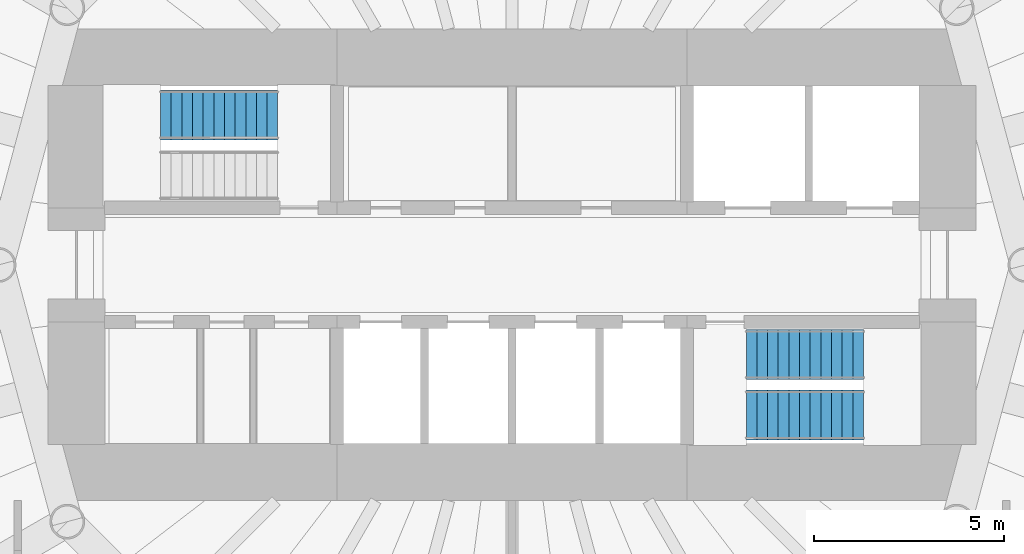
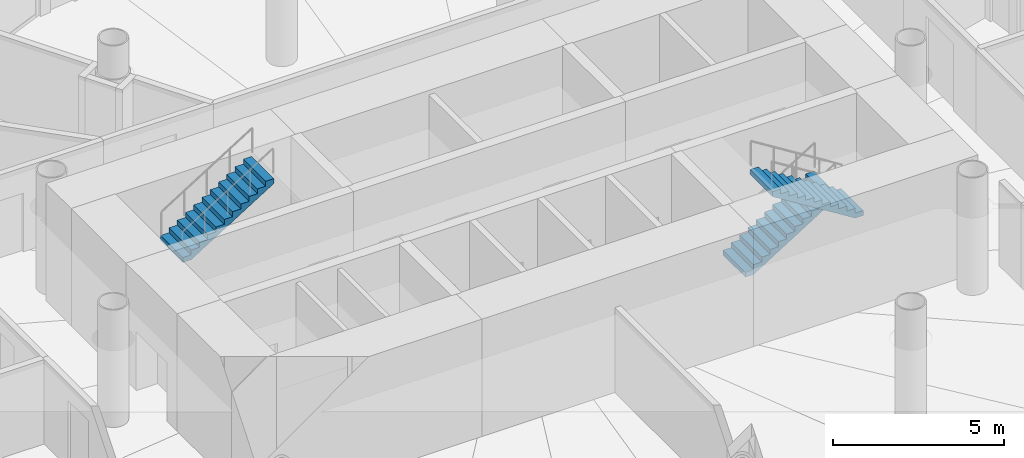
# One storey, part 11 of 15: 3 stair flights, 2 elements without a shape of their own.
"""IFC4 building model written with IfcOpenShell, lengths in metres."""

from ifc_helpers import new_model, si_unit, direction, frame, origin, place, context, subcontext, project, spatial, polyline, outline, extrude, material, type_object, element, aggregate, save


model = new_model("IFC4")

# Units and contexts
model_context = context("Model", 3, precision=1e-05, world=origin(), true_north=direction((0.0, 1.0)))
body_context = subcontext(model_context, "Body", "Model", "MODEL_VIEW")
ifc_project = project(units=[si_unit("LENGTHUNIT", "METRE"), si_unit("AREAUNIT", "SQUARE_METRE"), si_unit("VOLUMEUNIT", "CUBIC_METRE"), si_unit("PLANEANGLEUNIT", "RADIAN"), si_unit("MASSUNIT", "GRAM", prefix="KILO")], contexts=[model_context])

# Site, building, storey
site_placement = place(None, origin())
site = spatial("IfcSite", under=ifc_project, at=site_placement, CompositionType="ELEMENT")
building_placement = place(site_placement, origin())
building = spatial("IfcBuilding", under=site, at=building_placement, Name="Qaws Media Tower", CompositionType="ELEMENT")
storey_placement = place(building_placement, frame((0.0, 0.0, 257.0)))
storey = spatial("IfcBuildingStorey", under=building, at=storey_placement, Name="L59", CompositionType="ELEMENT", Elevation=257.0)

# Stair, stair flight
ifc_material_1 = material(Name="Concrete C40/50", Category="concrete")
stair_type = type_object("IfcStairType", Name="Exit stair", PredefinedType="HALF_TURN_STAIR", material=ifc_material_1)
stair_1_placement = place(storey_placement, origin())
stair_1 = element("IfcStair", 1, at=stair_1_placement, inside=storey, type_object=stair_type, Name="S1 exit stair L59", PredefinedType="HALF_TURN_STAIR")
ifc_material_2 = material(Name="Concrete C40/50", Category="concrete")
stair_flight_type = type_object("IfcStairFlightType", Name="Stair flight 1310", PredefinedType="STRAIGHT", material=ifc_material_2)
stair_flight_1_placement = place(storey_placement, frame((50.760009765625, 53.945068359375, 2.10009765625), z_axis=(0.0, 0.0, 1.0), x_axis=(1.0, 0.0, 0.0)))
stair_flight_1 = element("IfcStairFlight", 2, at=stair_flight_1_placement, type_object=stair_flight_type, Name="S1 flight 2", NumberOfRisers=12, NumberOfTreads=11, PredefinedType="STRAIGHT", RiserHeight=0.175, TreadLength=0.28, context=body_context, shape_type="SweptSolid", body=[
    extrude(outline(polyline([(0.0, 0.0), (0.0, 0.175048828125), (0.280029296875, 0.175048828125), (0.280029296875, 0.35009765625), (0.56005859375, 0.35009765625), (0.56005859375, 0.52490234375), (0.840087890625, 0.52490234375), (0.840087890625, 0.699951171875), (1.1201171875, 0.699951171875), (1.1201171875, 0.875), (1.39990234375, 0.875), (1.39990234375, 1.050048828125), (1.679931640625, 1.050048828125), (1.679931640625, 1.22509765625), (1.9599609375, 1.22509765625), (1.9599609375, 1.39990234375), (2.239990234375, 1.39990234375), (2.239990234375, 1.574951171875), (2.52001953125, 1.574951171875), (2.52001953125, 1.75), (2.800048828125, 1.75), (2.800048828125, 1.925048828125), (3.080078125, 1.925048828125), (3.080078125, 2.10009765625), (3.080078125, 1.748291015625), (0.28271484375, 0.0), (0.0, 0.0)])), frame((0.0, 0.655029296875, 0.0), z_axis=(0.0, -1.0, 0.0), x_axis=(1.0, 0.0, 0.0)), (0.0, 0.0, 1.0), 1.31005859375),
])
aggregate(stair_1, [stair_flight_1])

# Stair, stair flights
stair_2_placement = place(storey_placement, origin())
stair_2 = element("IfcStair", 3, at=stair_2_placement, inside=storey, type_object=stair_type, Name="S2 exit stair L59", PredefinedType="HALF_TURN_STAIR")
stair_flight_2_placement = place(storey_placement, frame((66.159912109375, 47.64501953125, 0.0), z_axis=(0.0, 0.0, 1.0), x_axis=(1.0, 0.0, 0.0)))
stair_flight_2 = element("IfcStairFlight", 4, at=stair_flight_2_placement, type_object=stair_flight_type, Name="S2 flight 1", NumberOfRisers=12, NumberOfTreads=11, PredefinedType="STRAIGHT", RiserHeight=0.175, TreadLength=0.28, context=body_context, shape_type="SweptSolid", body=[
    extrude(outline(polyline([(0.0, 0.0), (0.0, 0.175048828125), (0.280029296875, 0.175048828125), (0.280029296875, 0.35009765625), (0.56005859375, 0.35009765625), (0.56005859375, 0.52490234375), (0.840087890625, 0.52490234375), (0.840087890625, 0.699951171875), (1.1201171875, 0.699951171875), (1.1201171875, 0.875), (1.39990234375, 0.875), (1.39990234375, 1.050048828125), (1.679931640625, 1.050048828125), (1.679931640625, 1.22509765625), (1.9599609375, 1.22509765625), (1.9599609375, 1.39990234375), (2.239990234375, 1.39990234375), (2.239990234375, 1.574951171875), (2.52001953125, 1.574951171875), (2.52001953125, 1.75), (2.800048828125, 1.75), (2.800048828125, 1.925048828125), (3.080078125, 1.925048828125), (3.080078125, 2.10009765625), (3.080078125, 1.748291015625), (0.28271484375, 0.0), (0.0, 0.0)])), frame((0.0, 0.655029296875, 0.0), z_axis=(0.0, -1.0, 0.0), x_axis=(1.0, 0.0, 0.0)), (0.0, 0.0, 1.0), 1.31005859375),
])
stair_flight_3_placement = place(storey_placement, frame((69.239990234375, 46.054931640625, 2.10009765625), z_axis=(0.0, 0.0, 1.0), x_axis=(-1.0, 0.0, 0.0)))
stair_flight_3 = element("IfcStairFlight", 5, at=stair_flight_3_placement, type_object=stair_flight_type, Name="S2 flight 2", NumberOfRisers=12, NumberOfTreads=11, PredefinedType="STRAIGHT", RiserHeight=0.175, TreadLength=0.28, context=body_context, shape_type="SweptSolid", body=[
    extrude(outline(polyline([(0.0, 0.0), (0.0, 0.175048828125), (0.280029296875, 0.175048828125), (0.280029296875, 0.35009765625), (0.56005859375, 0.35009765625), (0.56005859375, 0.52490234375), (0.840087890625, 0.52490234375), (0.840087890625, 0.699951171875), (1.1201171875, 0.699951171875), (1.1201171875, 0.875), (1.39990234375, 0.875), (1.39990234375, 1.050048828125), (1.679931640625, 1.050048828125), (1.679931640625, 1.22509765625), (1.9599609375, 1.22509765625), (1.9599609375, 1.39990234375), (2.239990234375, 1.39990234375), (2.239990234375, 1.574951171875), (2.52001953125, 1.574951171875), (2.52001953125, 1.75), (2.800048828125, 1.75), (2.800048828125, 1.925048828125), (3.080078125, 1.925048828125), (3.080078125, 2.10009765625), (3.080078125, 1.748291015625), (0.28271484375, 0.0), (0.0, 0.0)])), frame((0.0, 0.655029296875, 0.0), z_axis=(0.0, -1.0, 0.0), x_axis=(1.0, 0.0, 0.0)), (0.0, 0.0, 1.0), 1.31005859375),
])
aggregate(stair_2, [stair_flight_2, stair_flight_3])

save(model, "model.ifc")
